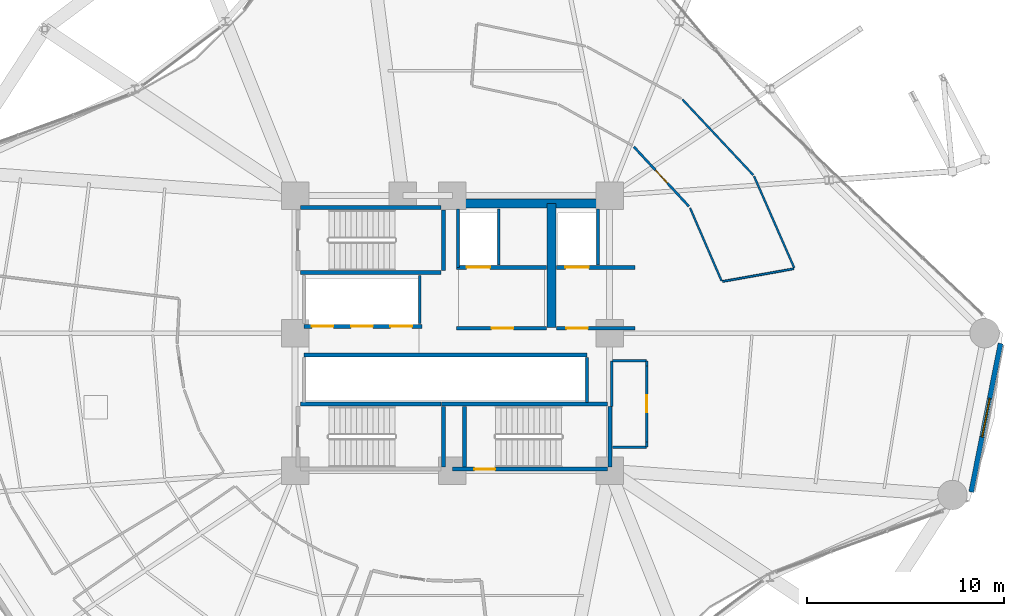
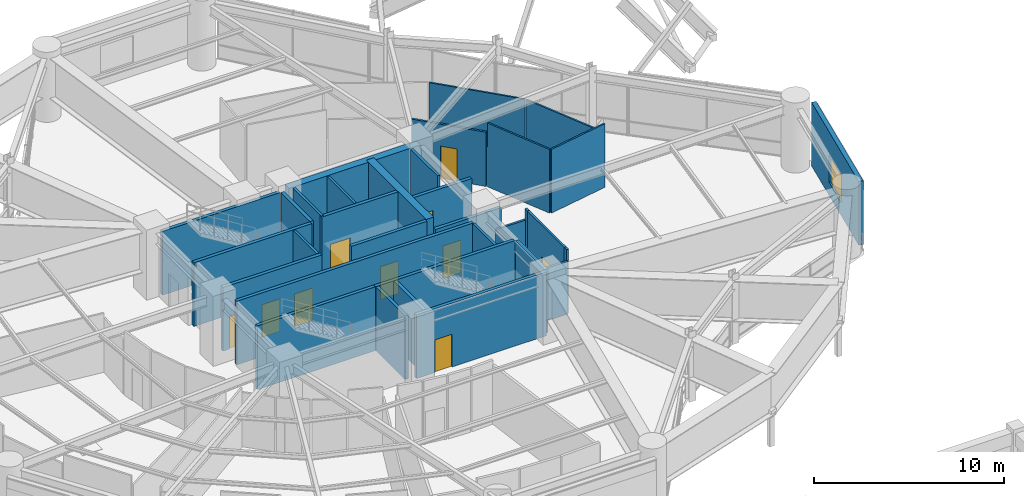
# One storey, part 44 of 53: 34 walls, 10 doors, 1 window, 11 openings.
"""IFC4 building model written with IfcOpenShell, lengths in metres."""

from ifc_helpers import new_model, si_unit, direction, frame, frame_2d, origin, place, context, subcontext, project, spatial, rectangle, extrude, material, layer, layer_set, type_object, element, fill, save


model = new_model("IFC4")

# Units and contexts
model_context = context("Model", 3, precision=1e-05, world=origin(), true_north=direction((0.0, 1.0)))
body_context = subcontext(model_context, "Body", "Model", "MODEL_VIEW")
ifc_project = project(units=[si_unit("LENGTHUNIT", "METRE"), si_unit("AREAUNIT", "SQUARE_METRE"), si_unit("VOLUMEUNIT", "CUBIC_METRE"), si_unit("PLANEANGLEUNIT", "RADIAN"), si_unit("MASSUNIT", "GRAM", prefix="KILO")], contexts=[model_context])

# Site, building, storey
site_placement = place(None, origin())
site = spatial("IfcSite", under=ifc_project, at=site_placement, CompositionType="ELEMENT")
building_placement = place(site_placement, origin())
building = spatial("IfcBuilding", under=site, at=building_placement, Name="Kelanora Arch Commons", CompositionType="ELEMENT")
storey_placement = place(building_placement, frame((0.0, 0.0, 9.0)))
storey = spatial("IfcBuildingStorey", under=building, at=storey_placement, Name="L02", CompositionType="ELEMENT", Elevation=9.0)

# Walls
ifc_material_1 = material(Name="Autoclaved aerated concrete blockwork with fire plaster", Category="masonry")
ifc_layer_1 = layer(ifc_material_1, 0.14990234375)
ifc_layer_set_1 = layer_set([ifc_layer_1], Name="Autoclaved aerated concrete blockwork with fire plaster")
wall_type_1 = type_object("IfcWallType", Name="W-COMP-150", PredefinedType="PARTITIONING", material=ifc_layer_set_1)
wall_1_placement = place(storey_placement, frame((74.280029296875, 61.35009765625, 0.0), z_axis=(0.0, 0.0, 1.0), x_axis=(0.0, 1.0, 0.0)))
element("IfcWall", 1, at=wall_1_placement, inside=storey, type_object=wall_type_1, Name="Firefighting Lift 1 West Shaft Wall L02", PredefinedType="PARTITIONING", context=body_context, shape_type="SweptSolid", body=[
    extrude(rectangle(XDim=2.969970703125, YDim=0.14990234375, at=frame_2d((1.48486328125, 0.0))), origin(), (0.0, 0.0, 1.0), 4.090087890625),
])
for number, where, z_axis, x_axis, name in (
    (2, (76.360107421875, 61.47998046875, 0.0), (0.0, 0.0, 1.0), (0.0, 1.0, 0.0), "Firefighting Lift 1 East Shaft Wall L02"),
    (3, (81.419921875, 61.47998046875, 0.0), (0.0, 0.0, 1.0), (0.0, 1.0, 0.0), "Firefighting Lift 2 East Shaft Wall L02"),
):
    element("IfcWall", number, at=place(storey_placement, frame(where, z_axis=z_axis, x_axis=x_axis)), inside=storey, type_object=wall_type_1, Name=name, PredefinedType="PARTITIONING", context=body_context, shape_type="SweptSolid", body=[
        extrude(rectangle(XDim=2.840087890625, YDim=0.14990234375, at=frame_2d((1.419921875, 0.0))), origin(), (0.0, 0.0, 1.0), 4.090087890625),
    ])
wall_2_placement = place(storey_placement, frame((72.340087890625, 58.47998046875, 0.0), z_axis=(0.0, 0.0, 1.0), x_axis=(0.0, 1.0, 0.0)))
element("IfcWall", 4, at=wall_2_placement, inside=storey, type_object=wall_type_1, Name="Low-Rise Lift Bank East Wall L02", PredefinedType="PARTITIONING", context=body_context, shape_type="SweptSolid", body=[
    extrude(rectangle(XDim=2.4599609375, YDim=0.14990234375, at=frame_2d((1.22998046875, 0.0))), origin(), (0.0, 0.0, 1.0), 4.090087890625),
])
wall_3_placement = place(storey_placement, frame((80.840087890625, 54.47998046875, 0.0), z_axis=(0.0, 0.0, 1.0), x_axis=(0.0, 1.0, 0.0)))
element("IfcWall", 5, at=wall_3_placement, inside=storey, type_object=wall_type_1, Name="South Lift Bank East Wall L02", PredefinedType="PARTITIONING", context=body_context, shape_type="SweptSolid", body=[
    extrude(rectangle(XDim=2.2900390625, YDim=0.14990234375, at=frame_2d((1.14501953125, 0.0))), origin(), (0.0, 0.0, 1.0), 4.090087890625),
])
ifc_material_2 = material(Name="Concrete C60/75", Category="concrete")
ifc_layer_2 = layer(ifc_material_2, 0.449951171875)
ifc_layer_set_2 = layer_set([ifc_layer_2], Name="Concrete C60/75")
wall_type_2 = type_object("IfcWallType", Name="W-CORE-450", PredefinedType="SHEAR", material=ifc_layer_set_2)
wall_4_placement = place(storey_placement, frame((74.0, 64.60009765625, 0.0), z_axis=(0.0, 0.0, 1.0), x_axis=(1.0, 0.0, 0.0)))
element("IfcWall", 6, at=wall_4_placement, inside=storey, type_object=wall_type_2, Name="Core Shear Spine L02-CN-E", PredefinedType="SHEAR", context=body_context, shape_type="SweptSolid", body=[
    extrude(rectangle(XDim=8.0, YDim=0.449951171875, at=frame_2d((4.0, 0.0))), origin(), (0.0, 0.0, 1.0), 4.10009765625),
])
wall_5_placement = place(storey_placement, frame((79.050048828125, 58.300048828125, 0.0), z_axis=(0.0, 0.0, 1.0), x_axis=(0.0, 1.0, 0.0)))
element("IfcWall", 7, at=wall_5_placement, inside=storey, type_object=wall_type_2, Name="Core Shear Spine L02-CE-N", PredefinedType="SHEAR", context=body_context, shape_type="SweptSolid", body=[
    extrude(rectangle(XDim=6.300048828125, YDim=0.449951171875, at=frame_2d((3.14990234375, 0.0))), origin(), (0.0, 0.0, 1.0), 4.10009765625),
])

# Wall, opening, window
ifc_material_3 = material(Name="Precast concrete C40/50 with terracotta rainscreen", Category="masonry")
ifc_layer_3 = layer(ifc_material_3, 0.260009765625)
ifc_layer_set_3 = layer_set([ifc_layer_3], Name="Precast concrete C40/50 with terracotta rainscreen")
wall_type_3 = type_object("IfcWallType", Name="W-EXT-TC", PredefinedType="SOLIDWALL", material=ifc_layer_set_3)
wall_6_placement = place(storey_placement, frame((100.404296875, 49.919921875, 0.0), z_axis=(0.0, 0.0, 1.0), x_axis=(0.193726159581, 0.98105564322, 0.0)))
wall_6 = element("IfcWall", 8, at=wall_6_placement, inside=storey, type_object=wall_type_3, Name="Terracotta Exterior Wall L02-B17", PredefinedType="SOLIDWALL", context=body_context, shape_type="SweptSolid", body=[
    extrude(rectangle(XDim=7.70263671875, YDim=0.260009765625, at=frame_2d((3.851318359375, 0.0))), origin(), (0.0, 0.0, 1.0), 4.0849609375),
])
opening_1_placement = place(wall_6_placement, frame((2.85107421875, 0.0, 0.85009765625)))
opening_1 = element("IfcOpeningElement", 9, at=opening_1_placement, cuts=wall_6, Name="Opening WN-05", PredefinedType="OPENING", context=body_context, shape_type="SweptSolid", body=[
    extrude(rectangle(XDim=2.0, YDim=1.75, at=frame_2d((1.0, 0.875))), frame((0.0, 0.14013671875, 0.0), z_axis=(0.0, -1.0, 0.0), x_axis=(1.0, 0.0, 0.0)), (0.0, 0.0, 1.0), 0.280029296875),
])
ifc_material_4 = material(Name="Terracotta-anodised aluminium podium window", Category="masonry")
window_type = type_object("IfcWindowType", Name="WIN-POD-20", PartitioningType="TRIPLE_PANEL_VERTICAL", PredefinedType="WINDOW", material=ifc_material_4)
window_placement = place(opening_1_placement, origin())
window = element("IfcWindow", 10, at=window_placement, inside=storey, type_object=window_type, Name="Podium Window L02-B17", OverallHeight=1.75, OverallWidth=2.0, PartitioningType="SINGLE_PANEL", PredefinedType="WINDOW", context=body_context, shape_type="SweptSolid", body=[
    extrude(rectangle(XDim=2.0, YDim=1.75, at=frame_2d((1.0, 0.875))), frame((0.0, 0.030029296875, 0.0), z_axis=(0.0, -1.0, 0.0), x_axis=(1.0, 0.0, 0.0)), (0.0, 0.0, 1.0), 0.06005859375),
])
fill(opening_1, window)

# Wall, opening, door
ifc_material_5 = material(Name="Concrete C40/50", Category="concrete")
ifc_layer_4 = layer(ifc_material_5, 0.199951171875)
ifc_layer_set_4 = layer_set([ifc_layer_4], Name="Concrete C40/50")
wall_type_4 = type_object("IfcWallType", Name="W-FFL-200", PredefinedType="SOLIDWALL", material=ifc_layer_set_4)
wall_7_placement = place(storey_placement, frame((74.199951171875, 61.35009765625, 0.0), z_axis=(0.0, 0.0, 1.0), x_axis=(1.0, 0.0, 0.0)))
wall_7 = element("IfcWall", 11, at=wall_7_placement, inside=storey, type_object=wall_type_4, Name="Firefighting Lift 1 Shaft Front L02", PredefinedType="SOLIDWALL", context=body_context, shape_type="SweptSolid", body=[
    extrude(rectangle(XDim=4.60009765625, YDim=0.199951171875, at=frame_2d((2.300048828125, 0.0))), origin(), (0.0, 0.0, 1.0), 4.090087890625),
])
opening_2_placement = place(wall_7_placement, frame((0.52001953125, 0.0, 0.0)))
opening_2 = element("IfcOpeningElement", 12, at=opening_2_placement, cuts=wall_7, Name="Opening LD-FF", PredefinedType="OPENING", context=body_context, shape_type="SweptSolid", body=[
    extrude(rectangle(XDim=1.199951171875, YDim=2.14990234375, at=frame_2d((0.60009765625, 1.074951171875))), frame((0.0, 0.10986328125, 0.0), z_axis=(0.0, -1.0, 0.0), x_axis=(1.0, 0.0, 0.0)), (0.0, 0.0, 1.0), 0.219970703125),
])
ifc_material_6 = material(Name="Fire-rated firefighters lift sliding landing door")
door_type_1 = type_object("IfcDoorType", Name="D-LIFT-FF", OperationType="NOTDEFINED", PredefinedType="DOOR", material=ifc_material_6)
door_1_placement = place(opening_2_placement, origin())
door_1 = element("IfcDoor", 13, at=door_1_placement, inside=storey, type_object=door_type_1, Name="Firefighting Lift LF-FF1 Landing Door L02", OperationType="DOUBLE_DOOR_SLIDING", OverallHeight=2.14990234375, OverallWidth=1.199951171875, PredefinedType="DOOR", context=body_context, shape_type="SweptSolid", body=[
    extrude(rectangle(XDim=1.199951171875, YDim=2.14990234375, at=frame_2d((0.60009765625, 1.074951171875))), frame((0.0, 0.02490234375, 0.0), z_axis=(0.0, -1.0, 0.0), x_axis=(1.0, 0.0, 0.0)), (0.0, 0.0, 1.0), 0.050048828125),
])
fill(opening_2, door_1)

wall_8_placement = place(storey_placement, frame((79.300048828125, 61.35009765625, 0.0), z_axis=(0.0, 0.0, 1.0), x_axis=(1.0, 0.0, 0.0)))
wall_8 = element("IfcWall", 14, at=wall_8_placement, inside=storey, type_object=wall_type_4, Name="Firefighting Lift 2 Shaft Front L02", PredefinedType="SOLIDWALL", context=body_context, shape_type="SweptSolid", body=[
    extrude(rectangle(XDim=4.0, YDim=0.199951171875, at=frame_2d((2.0, 0.0))), origin(), (0.0, 0.0, 1.0), 3.385009765625),
])
opening_3_placement = place(wall_8_placement, frame((0.449951171875, 0.0, 0.0)))
opening_3 = element("IfcOpeningElement", 15, at=opening_3_placement, cuts=wall_8, Name="Opening LD-FF", PredefinedType="OPENING", context=body_context, shape_type="SweptSolid", body=[
    extrude(rectangle(XDim=1.199951171875, YDim=2.14990234375, at=frame_2d((0.60009765625, 1.074951171875))), frame((0.0, 0.10986328125, 0.0), z_axis=(0.0, -1.0, 0.0), x_axis=(1.0, 0.0, 0.0)), (0.0, 0.0, 1.0), 0.219970703125),
])
door_2_placement = place(opening_3_placement, origin())
door_2 = element("IfcDoor", 16, at=door_2_placement, inside=storey, type_object=door_type_1, Name="Firefighting Lift LF-FF2 Landing Door L02", OperationType="DOUBLE_DOOR_SLIDING", OverallHeight=2.14990234375, OverallWidth=1.199951171875, PredefinedType="DOOR", context=body_context, shape_type="SweptSolid", body=[
    extrude(rectangle(XDim=1.199951171875, YDim=2.14990234375, at=frame_2d((0.60009765625, 1.074951171875))), frame((0.0, 0.02490234375, 0.0), z_axis=(0.0, -1.0, 0.0), x_axis=(1.0, 0.0, 0.0)), (0.0, 0.0, 1.0), 0.050048828125),
])
fill(opening_3, door_2)

wall_9_placement = place(storey_placement, frame((74.199951171875, 58.25, 0.0), z_axis=(0.0, 0.0, 1.0), x_axis=(1.0, 0.0, 0.0)))
wall_9 = element("IfcWall", 17, at=wall_9_placement, inside=storey, type_object=wall_type_4, Name="Firefighting Lobby 1 Enclosure Wall L02", PredefinedType="SOLIDWALL", context=body_context, shape_type="SweptSolid", body=[
    extrude(rectangle(XDim=4.60009765625, YDim=0.199951171875, at=frame_2d((2.300048828125, 0.0))), origin(), (0.0, 0.0, 1.0), 4.090087890625),
])
opening_4_placement = place(wall_9_placement, frame((1.800048828125, 0.0, 0.0)))
opening_4 = element("IfcOpeningElement", 18, at=opening_4_placement, cuts=wall_9, Name="Opening D-FFL1", PredefinedType="OPENING", context=body_context, shape_type="SweptSolid", body=[
    extrude(rectangle(XDim=1.10009765625, YDim=2.10009765625, at=frame_2d((0.550048828125, 1.050048828125))), frame((0.0, 0.10986328125, 0.0), z_axis=(0.0, -1.0, 0.0), x_axis=(1.0, 0.0, 0.0)), (0.0, 0.0, 1.0), 0.219970703125),
])
ifc_material_7 = material(Name="Smoke-sealed firefighting lobby fire door")
door_type_2 = type_object("IfcDoorType", Name="D-FFL-110", OperationType="NOTDEFINED", PredefinedType="DOOR", material=ifc_material_7)
door_3_placement = place(opening_4_placement, frame((1.10009765625, 0.0, 0.0), z_axis=(0.0, 0.0, 1.0), x_axis=(-1.0, 0.0, 0.0)))
door_3 = element("IfcDoor", 19, at=door_3_placement, inside=storey, type_object=door_type_2, Name="Firefighting Lobby 1 Door L02", OperationType="SINGLE_SWING_LEFT", OverallHeight=2.10009765625, OverallWidth=1.10009765625, PredefinedType="DOOR", context=body_context, shape_type="SweptSolid", body=[
    extrude(rectangle(XDim=1.10009765625, YDim=2.10009765625, at=frame_2d((0.550048828125, 1.050048828125))), frame((0.0, 0.02490234375, 0.0), z_axis=(0.0, -1.0, 0.0), x_axis=(1.0, 0.0, 0.0)), (0.0, 0.0, 1.0), 0.050048828125),
])
fill(opening_4, door_3)

wall_10_placement = place(storey_placement, frame((79.300048828125, 58.25, 0.0), z_axis=(0.0, 0.0, 1.0), x_axis=(1.0, 0.0, 0.0)))
wall_10 = element("IfcWall", 20, at=wall_10_placement, inside=storey, type_object=wall_type_4, Name="Firefighting Lobby 2 Enclosure Wall L02", PredefinedType="SOLIDWALL", context=body_context, shape_type="SweptSolid", body=[
    extrude(rectangle(XDim=4.0, YDim=0.199951171875, at=frame_2d((2.0, 0.0))), origin(), (0.0, 0.0, 1.0), 3.385009765625),
])
opening_5_placement = place(wall_10_placement, frame((0.5, 0.0, 0.0)))
opening_5 = element("IfcOpeningElement", 21, at=opening_5_placement, cuts=wall_10, Name="Opening D-FFL1", PredefinedType="OPENING", context=body_context, shape_type="SweptSolid", body=[
    extrude(rectangle(XDim=1.10009765625, YDim=2.10009765625, at=frame_2d((0.550048828125, 1.050048828125))), frame((0.0, 0.10986328125, 0.0), z_axis=(0.0, -1.0, 0.0), x_axis=(1.0, 0.0, 0.0)), (0.0, 0.0, 1.0), 0.219970703125),
])
door_4_placement = place(opening_5_placement, frame((1.10009765625, 0.0, 0.0), z_axis=(0.0, 0.0, 1.0), x_axis=(-1.0, 0.0, 0.0)))
door_4 = element("IfcDoor", 22, at=door_4_placement, inside=storey, type_object=door_type_2, Name="Firefighting Lobby 2 Door L02", OperationType="SINGLE_SWING_RIGHT", OverallHeight=2.10009765625, OverallWidth=1.10009765625, PredefinedType="DOOR", context=body_context, shape_type="SweptSolid", body=[
    extrude(rectangle(XDim=1.10009765625, YDim=2.10009765625, at=frame_2d((0.550048828125, 1.050048828125))), frame((0.0, 0.02490234375, 0.0), z_axis=(0.0, -1.0, 0.0), x_axis=(1.0, 0.0, 0.0)), (0.0, 0.0, 1.0), 0.050048828125),
])
fill(opening_5, door_4)

# Wall, openings, doors
wall_11_placement = place(storey_placement, frame((66.449951171875, 58.35009765625, 0.0), z_axis=(0.0, 0.0, 1.0), x_axis=(1.0, 0.0, 0.0)))
wall_11 = element("IfcWall", 23, at=wall_11_placement, inside=storey, type_object=wall_type_4, Name="Low-Rise Passenger Lift Shaft Front L02", PredefinedType="SOLIDWALL", context=body_context, shape_type="SweptSolid", body=[
    extrude(rectangle(XDim=6.0, YDim=0.199951171875, at=frame_2d((3.0, 0.0))), origin(), (0.0, 0.0, 1.0), 4.090087890625),
])
opening_6_placement = place(wall_11_placement, frame((0.39990234375, 0.0, 0.0)))
opening_6 = element("IfcOpeningElement", 24, at=opening_6_placement, cuts=wall_11, Name="Opening LD-01", PredefinedType="OPENING", context=body_context, shape_type="SweptSolid", body=[
    extrude(rectangle(XDim=1.10009765625, YDim=2.10009765625, at=frame_2d((0.550048828125, 1.050048828125))), frame((0.0, 0.10986328125, 0.0), z_axis=(0.0, -1.0, 0.0), x_axis=(1.0, 0.0, 0.0)), (0.0, 0.0, 1.0), 0.219970703125),
])
opening_7_placement = place(wall_11_placement, frame((2.39990234375, 0.0, 0.0)))
opening_7 = element("IfcOpeningElement", 25, at=opening_7_placement, cuts=wall_11, Name="Opening LD-01", PredefinedType="OPENING", context=body_context, shape_type="SweptSolid", body=[
    extrude(rectangle(XDim=1.10009765625, YDim=2.10009765625, at=frame_2d((0.550048828125, 1.050048828125))), frame((0.0, 0.10986328125, 0.0), z_axis=(0.0, -1.0, 0.0), x_axis=(1.0, 0.0, 0.0)), (0.0, 0.0, 1.0), 0.219970703125),
])
opening_8_placement = place(wall_11_placement, frame((4.39990234375, 0.0, 0.0)))
opening_8 = element("IfcOpeningElement", 26, at=opening_8_placement, cuts=wall_11, Name="Opening LD-01", PredefinedType="OPENING", context=body_context, shape_type="SweptSolid", body=[
    extrude(rectangle(XDim=1.10009765625, YDim=2.10009765625, at=frame_2d((0.550048828125, 1.050048828125))), frame((0.0, 0.10986328125, 0.0), z_axis=(0.0, -1.0, 0.0), x_axis=(1.0, 0.0, 0.0)), (0.0, 0.0, 1.0), 0.219970703125),
])
ifc_material_8 = material(Name="Stainless steel passenger lift sliding landing door", Category="steel")
door_type_3 = type_object("IfcDoorType", Name="D-LIFT-110", OperationType="NOTDEFINED", PredefinedType="DOOR", material=ifc_material_8)
door_5_placement = place(opening_6_placement, origin())
door_5 = element("IfcDoor", 27, at=door_5_placement, inside=storey, type_object=door_type_3, Name="Passenger Lift LF-P1 Landing Door L02", OperationType="DOUBLE_DOOR_SLIDING", OverallHeight=2.10009765625, OverallWidth=1.10009765625, PredefinedType="DOOR", context=body_context, shape_type="SweptSolid", body=[
    extrude(rectangle(XDim=1.10009765625, YDim=2.10009765625, at=frame_2d((0.550048828125, 1.050048828125))), frame((0.0, 0.02490234375, 0.0), z_axis=(0.0, -1.0, 0.0), x_axis=(1.0, 0.0, 0.0)), (0.0, 0.0, 1.0), 0.050048828125),
])
fill(opening_6, door_5)
door_6_placement = place(opening_7_placement, origin())
door_6 = element("IfcDoor", 28, at=door_6_placement, inside=storey, type_object=door_type_3, Name="Passenger Lift LF-P2 Landing Door L02", OperationType="DOUBLE_DOOR_SLIDING", OverallHeight=2.10009765625, OverallWidth=1.10009765625, PredefinedType="DOOR", context=body_context, shape_type="SweptSolid", body=[
    extrude(rectangle(XDim=1.10009765625, YDim=2.10009765625, at=frame_2d((0.550048828125, 1.050048828125))), frame((0.0, 0.02490234375, 0.0), z_axis=(0.0, -1.0, 0.0), x_axis=(1.0, 0.0, 0.0)), (0.0, 0.0, 1.0), 0.050048828125),
])
fill(opening_7, door_6)
door_7_placement = place(opening_8_placement, origin())
door_7 = element("IfcDoor", 29, at=door_7_placement, inside=storey, type_object=door_type_3, Name="Passenger Lift LF-P3 Landing Door L02", OperationType="DOUBLE_DOOR_SLIDING", OverallHeight=2.10009765625, OverallWidth=1.10009765625, PredefinedType="DOOR", context=body_context, shape_type="SweptSolid", body=[
    extrude(rectangle(XDim=1.10009765625, YDim=2.10009765625, at=frame_2d((0.550048828125, 1.050048828125))), frame((0.0, 0.02490234375, 0.0), z_axis=(0.0, -1.0, 0.0), x_axis=(1.0, 0.0, 0.0)), (0.0, 0.0, 1.0), 0.050048828125),
])
fill(opening_8, door_7)

# Walls
wall_12_placement = place(storey_placement, frame((66.449951171875, 56.89990234375, 0.0), z_axis=(0.0, 0.0, 1.0), x_axis=(1.0, 0.0, 0.0)))
element("IfcWall", 30, at=wall_12_placement, inside=storey, type_object=wall_type_4, Name="Mid/High/Express Lift Shaft Front L02", PredefinedType="SOLIDWALL", context=body_context, shape_type="SweptSolid", body=[
    extrude(rectangle(XDim=14.400146484375, YDim=0.199951171875, at=frame_2d((7.2001953125, 0.0))), origin(), (0.0, 0.0, 1.0), 4.090087890625),
])
ifc_material_9 = material(Name="Lightweight fire-rated acoustic stud partition")
ifc_layer_5 = layer(ifc_material_9, 0.10009765625)
ifc_layer_set_5 = layer_set([ifc_layer_5], Name="Lightweight fire-rated acoustic stud partition")
wall_type_5 = type_object("IfcWallType", Name="W-PART-100", PredefinedType="PARTITIONING", material=ifc_layer_set_5)
wall_13_placement = place(storey_placement, frame((87.697998046875, 60.66064453125, 0.0), z_axis=(0.0, 0.0, 1.0), x_axis=(-0.396638629538, 0.917974834927, 0.0)))
element("IfcWall", 31, at=wall_13_placement, inside=storey, type_object=wall_type_5, Name="Arch Portal Overlook Co-Working Commons L02-A Enclosure Partition 1", PredefinedType="PARTITIONING", context=body_context, shape_type="SweptSolid", body=[
    extrude(rectangle(XDim=4.0390625, YDim=0.10009765625, at=frame_2d((2.01953125, 0.0))), origin(), (0.0, 0.0, 1.0), 4.090087890625),
])
wall_14_placement = place(storey_placement, frame((85.705322265625, 69.894775390625, 0.0), z_axis=(0.0, 0.0, 1.0), x_axis=(0.683762404443, -0.729704717177, 0.0)))
element("IfcWall", 32, at=wall_14_placement, inside=storey, type_object=wall_type_5, Name="Arch Portal Overlook Co-Working Commons L02-A Enclosure Partition 8", PredefinedType="PARTITIONING", context=body_context, shape_type="SweptSolid", body=[
    extrude(rectangle(XDim=5.271484375, YDim=0.10009765625, at=frame_2d((2.6357421875, 0.0))), origin(), (0.0, 0.0, 1.0), 3.485107421875),
])
wall_15_placement = place(storey_placement, frame((89.35302734375, 65.982421875, 0.0), z_axis=(0.0, 0.0, 1.0), x_axis=(0.40128943914, -0.915951301126, 0.0)))
element("IfcWall", 33, at=wall_15_placement, inside=storey, type_object=wall_type_5, Name="Arch Portal Overlook Co-Working Commons L02-A Enclosure Partition 9", PredefinedType="PARTITIONING", context=body_context, shape_type="SweptSolid", body=[
    extrude(rectangle(XDim=5.088623046875, YDim=0.10009765625, at=frame_2d((2.54443359375, 0.0))), origin(), (0.0, 0.0, 1.0), 3.485107421875),
])
wall_16_placement = place(storey_placement, frame((91.37158203125, 61.278076171875, 0.0), z_axis=(0.0, 0.0, 1.0), x_axis=(-0.98438649623, -0.176020527328, 0.0)))
element("IfcWall", 34, at=wall_16_placement, inside=storey, type_object=wall_type_5, Name="Arch Portal Overlook Co-Working Commons L02-A Enclosure Partition 10", PredefinedType="PARTITIONING", context=body_context, shape_type="SweptSolid", body=[
    extrude(rectangle(XDim=3.675537109375, YDim=0.10009765625, at=frame_2d((1.837890625, 0.0))), origin(), (0.0, 0.0, 1.0), 4.090087890625),
])

# Wall, opening, door
ifc_material_10 = material(Name="Acoustic twin-stud fire-rated gypsum partition")
ifc_layer_6 = layer(ifc_material_10, 0.1201171875)
ifc_layer_set_6 = layer_set([ifc_layer_6], Name="Acoustic twin-stud fire-rated gypsum partition")
wall_type_6 = type_object("IfcWallType", Name="W-PART-120", PredefinedType="PARTITIONING", material=ifc_layer_set_6)
wall_17_placement = place(storey_placement, frame((86.039306640625, 64.44921875, 0.0), z_axis=(0.0, 0.0, 1.0), x_axis=(-0.678660886428, 0.734451769167, 0.0)))
wall_17 = element("IfcWall", 35, at=wall_17_placement, inside=storey, type_object=wall_type_6, Name="Arch Portal Overlook Co-Working Commons L02-A Entry Partition", PredefinedType="PARTITIONING", context=body_context, shape_type="SweptSolid", body=[
    extrude(rectangle(XDim=4.12646484375, YDim=0.1201171875, at=frame_2d((2.063232421875, 0.0))), origin(), (0.0, 0.0, 1.0), 3.485107421875),
])
opening_9_placement = place(wall_17_placement, frame((1.613037109375, 0.0, 0.0)))
opening_9 = element("IfcOpeningElement", 36, at=opening_9_placement, cuts=wall_17, Name="Opening D-RM1", PredefinedType="OPENING", context=body_context, shape_type="SweptSolid", body=[
    extrude(rectangle(XDim=0.89990234375, YDim=2.080078125, at=frame_2d((0.449951171875, 1.0400390625))), frame((0.0, 0.070068359375, 0.0), z_axis=(0.0, -1.0, 0.0), x_axis=(1.0, 0.0, 0.0)), (0.0, 0.0, 1.0), 0.14013671875),
])
ifc_material_11 = material(Name="Acoustic fire-rated timber study and lounge door", Category="wood")
door_type_4 = type_object("IfcDoorType", Name="D-ROOM-90", OperationType="NOTDEFINED", PredefinedType="DOOR", material=ifc_material_11)
door_8_placement = place(opening_9_placement, origin())
door_8 = element("IfcDoor", 37, at=door_8_placement, inside=storey, type_object=door_type_4, Name="Arch Portal Overlook Co-Working Commons L02-A Door", OperationType="SINGLE_SWING_RIGHT", OverallHeight=2.080078125, OverallWidth=0.89990234375, PredefinedType="DOOR", context=body_context, shape_type="SweptSolid", body=[
    extrude(rectangle(XDim=0.89990234375, YDim=2.080078125, at=frame_2d((0.449951171875, 1.0400390625))), frame((0.0, 0.02490234375, 0.0), z_axis=(0.0, -1.0, 0.0), x_axis=(1.0, 0.0, 0.0)), (0.0, 0.0, 1.0), 0.050048828125),
])
fill(opening_9, door_8)

# Walls
ifc_layer_7 = layer(ifc_material_5, 0.199951171875)
ifc_layer_set_7 = layer_set([ifc_layer_7], Name="Concrete C40/50")
wall_type_7 = type_object("IfcWallType", Name="W-STAIR-200", PredefinedType="SHEAR", material=ifc_layer_set_7)
wall_18_placement = place(storey_placement, frame((66.260009765625, 61.080078125, 0.0), z_axis=(0.0, 0.0, 1.0), x_axis=(1.0, 0.0, 0.0)))
element("IfcWall", 38, at=wall_18_placement, inside=storey, type_object=wall_type_7, Name="Stair ST-T1 Shaft Wall S L02", PredefinedType="SHEAR", context=body_context, shape_type="SweptSolid", body=[
    extrude(rectangle(XDim=7.159912109375, YDim=0.199951171875, at=frame_2d((3.580078125, 0.0))), origin(), (0.0, 0.0, 1.0), 4.10009765625),
])
wall_19_placement = place(storey_placement, frame((73.5400390625, 61.199951171875, 0.0), z_axis=(0.0, 0.0, 1.0), x_axis=(0.0, 1.0, 0.0)))
element("IfcWall", 39, at=wall_19_placement, inside=storey, type_object=wall_type_7, Name="Stair ST-T1 Shaft Wall E L02", PredefinedType="SHEAR", context=body_context, shape_type="SweptSolid", body=[
    extrude(rectangle(XDim=3.070068359375, YDim=0.199951171875, at=frame_2d((1.53515625, 0.0))), origin(), (0.0, 0.0, 1.0), 4.10009765625),
])
wall_20_placement = place(storey_placement, frame((73.419921875, 64.389892578125, 0.0), z_axis=(0.0, 0.0, 1.0), x_axis=(-1.0, 0.0, 0.0)))
element("IfcWall", 40, at=wall_20_placement, inside=storey, type_object=wall_type_7, Name="Stair ST-T1 Shaft Wall N L02", PredefinedType="SHEAR", context=body_context, shape_type="SweptSolid", body=[
    extrude(rectangle(XDim=7.159912109375, YDim=0.199951171875, at=frame_2d((3.580078125, 0.0))), origin(), (0.0, 0.0, 1.0), 4.10009765625),
])

# Wall, opening, door
wall_21_placement = place(storey_placement, frame((74.0, 51.080078125, 0.0), z_axis=(0.0, 0.0, 1.0), x_axis=(1.0, 0.0, 0.0)))
wall_21 = element("IfcWall", 41, at=wall_21_placement, inside=storey, type_object=wall_type_7, Name="Stair ST-T2 Shaft Wall S L02", PredefinedType="SHEAR", context=body_context, shape_type="SweptSolid", body=[
    extrude(rectangle(XDim=7.89990234375, YDim=0.199951171875, at=frame_2d((3.949951171875, 0.0))), origin(), (0.0, 0.0, 1.0), 4.10009765625),
])
opening_10_placement = place(wall_21_placement, frame((1.1201171875, 0.0, 0.0)))
opening_10 = element("IfcOpeningElement", 42, at=opening_10_placement, cuts=wall_21, Name="Opening D-ST1", PredefinedType="OPENING", context=body_context, shape_type="SweptSolid", body=[
    extrude(rectangle(XDim=1.050048828125, YDim=2.10009765625, at=frame_2d((0.52490234375, 1.050048828125))), frame((0.0, 0.10986328125, 0.0), z_axis=(0.0, -1.0, 0.0), x_axis=(1.0, 0.0, 0.0)), (0.0, 0.0, 1.0), 0.219970703125),
])
ifc_material_12 = material(Name="Steel fire-rated stairwell escape door", Category="steel")
door_type_5 = type_object("IfcDoorType", Name="D-STAIR-110", OperationType="NOTDEFINED", PredefinedType="DOOR", material=ifc_material_12)
door_9_placement = place(opening_10_placement, origin())
door_9 = element("IfcDoor", 43, at=door_9_placement, inside=storey, type_object=door_type_5, Name="Stair ST-T2 Escape Door L02", OperationType="SINGLE_SWING_LEFT", OverallHeight=2.10009765625, OverallWidth=1.050048828125, PredefinedType="DOOR", context=body_context, shape_type="SweptSolid", body=[
    extrude(rectangle(XDim=1.050048828125, YDim=2.10009765625, at=frame_2d((0.52490234375, 1.050048828125))), frame((0.0, 0.02490234375, 0.0), z_axis=(0.0, -1.0, 0.0), x_axis=(1.0, 0.0, 0.0)), (0.0, 0.0, 1.0), 0.050048828125),
])
fill(opening_10, door_9)

# Walls
wall_22_placement = place(storey_placement, frame((82.02001953125, 51.199951171875, 0.0), z_axis=(0.0, 0.0, 1.0), x_axis=(0.0, 1.0, 0.0)))
element("IfcWall", 44, at=wall_22_placement, inside=storey, type_object=wall_type_7, Name="Stair ST-T2 Shaft Wall E L02", PredefinedType="SHEAR", context=body_context, shape_type="SweptSolid", body=[
    extrude(rectangle(XDim=3.070068359375, YDim=0.199951171875, at=frame_2d((1.53515625, 0.0))), origin(), (0.0, 0.0, 1.0), 4.10009765625),
])
wall_23_placement = place(storey_placement, frame((81.89990234375, 54.389892578125, 0.0), z_axis=(0.0, 0.0, 1.0), x_axis=(-1.0, 0.0, 0.0)))
element("IfcWall", 45, at=wall_23_placement, inside=storey, type_object=wall_type_7, Name="Stair ST-T2 Shaft Wall N L02", PredefinedType="SHEAR", context=body_context, shape_type="SweptSolid", body=[
    extrude(rectangle(XDim=8.4599609375, YDim=0.199951171875, at=frame_2d((4.22998046875, 0.0))), origin(), (0.0, 0.0, 1.0), 4.10009765625),
])
for number, where, z_axis, x_axis, name in (
    (46, (74.6201171875, 54.27001953125, 0.0), (0.0, 0.0, 1.0), (0.0, -1.0, 0.0), "Stair ST-T2 Shaft Wall W L02"),
    (47, (73.5400390625, 51.199951171875, 0.0), (0.0, 0.0, 1.0), (0.0, 1.0, 0.0), "Stair ST-T3 Shaft Wall E L02"),
):
    element("IfcWall", number, at=place(storey_placement, frame(where, z_axis=z_axis, x_axis=x_axis)), inside=storey, type_object=wall_type_7, Name=name, PredefinedType="SHEAR", context=body_context, shape_type="SweptSolid", body=[
        extrude(rectangle(XDim=3.070068359375, YDim=0.199951171875, at=frame_2d((1.53515625, 0.0))), origin(), (0.0, 0.0, 1.0), 4.10009765625),
    ])
wall_24_placement = place(storey_placement, frame((73.419921875, 54.389892578125, 0.0), z_axis=(0.0, 0.0, 1.0), x_axis=(-1.0, 0.0, 0.0)))
element("IfcWall", 48, at=wall_24_placement, inside=storey, type_object=wall_type_7, Name="Stair ST-T3 Shaft Wall N L02", PredefinedType="SHEAR", context=body_context, shape_type="SweptSolid", body=[
    extrude(rectangle(XDim=7.159912109375, YDim=0.199951171875, at=frame_2d((3.580078125, 0.0))), origin(), (0.0, 0.0, 1.0), 4.10009765625),
])

# Wall, opening, door
ifc_material_13 = material(Name="Moisture-resistant fire-rated cement-board plumbing wall")
ifc_layer_8 = layer(ifc_material_13, 0.1298828125)
ifc_layer_set_8 = layer_set([ifc_layer_8], Name="Moisture-resistant fire-rated cement-board plumbing wall")
wall_type_8 = type_object("IfcWallType", Name="W-WET-120", PredefinedType="PLUMBINGWALL", material=ifc_layer_set_8)
wall_25_placement = place(storey_placement, frame((83.89990234375, 52.4599609375, 0.0), z_axis=(0.0, 0.0, 1.0), x_axis=(0.0, 1.0, 0.0)))
wall_25 = element("IfcWall", 49, at=wall_25_placement, inside=storey, type_object=wall_type_8, Name="Podium Accessible Toilets L02 Entry Partition", PredefinedType="PLUMBINGWALL", context=body_context, shape_type="SweptSolid", body=[
    extrude(rectangle(XDim=3.880126953125, YDim=0.1298828125, at=frame_2d((1.93994140625, 0.0))), origin(), (0.0, 0.0, 1.0), 4.090087890625),
])
opening_11_placement = place(wall_25_placement, frame((1.510009765625, 0.0, 0.0)))
opening_11 = element("IfcOpeningElement", 50, at=opening_11_placement, cuts=wall_25, Name="Opening D-BT1", PredefinedType="OPENING", context=body_context, shape_type="SweptSolid", body=[
    extrude(rectangle(XDim=0.860107421875, YDim=2.050048828125, at=frame_2d((0.43017578125, 1.02490234375))), frame((0.0, 0.074951171875, 0.0), z_axis=(0.0, -1.0, 0.0), x_axis=(1.0, 0.0, 0.0)), (0.0, 0.0, 1.0), 0.14990234375),
])
ifc_material_14 = material(Name="Moisture-sealed fire-rated accessible bathroom door")
door_type_6 = type_object("IfcDoorType", Name="D-BATH-85", OperationType="NOTDEFINED", PredefinedType="DOOR", material=ifc_material_14)
door_10_placement = place(opening_11_placement, origin())
door_10 = element("IfcDoor", 51, at=door_10_placement, inside=storey, type_object=door_type_6, Name="Podium Accessible Toilets L02 Door", OperationType="SINGLE_SWING_LEFT", OverallHeight=2.050048828125, OverallWidth=0.860107421875, PredefinedType="DOOR", context=body_context, shape_type="SweptSolid", body=[
    extrude(rectangle(XDim=0.860107421875, YDim=2.050048828125, at=frame_2d((0.43017578125, 1.02490234375))), frame((0.0, 0.02490234375, 0.0), z_axis=(0.0, -1.0, 0.0), x_axis=(1.0, 0.0, 0.0)), (0.0, 0.0, 1.0), 0.050048828125),
])
fill(opening_11, door_10)

# Walls
wall_26_placement = place(storey_placement, frame((82.139892578125, 52.199951171875, 0.0), z_axis=(0.0, 0.0, 1.0), x_axis=(1.0, 0.0, 0.0)))
element("IfcWall", 52, at=wall_26_placement, inside=storey, type_object=wall_type_8, Name="Podium Accessible Toilets L02 Enclosure Partition 1", PredefinedType="PLUMBINGWALL", context=body_context, shape_type="SweptSolid", body=[
    extrude(rectangle(XDim=1.739990234375, YDim=0.1298828125, at=frame_2d((0.8701171875, 0.0))), origin(), (0.0, 0.0, 1.0), 3.385009765625),
])
for number, where, z_axis, x_axis, name in (
    (53, (83.89990234375, 52.219970703125, 0.0), (0.0, 0.0, 1.0), (0.0, 1.0, 0.0), "Podium Accessible Toilets L02 Enclosure Partition 2"),
    (54, (83.89990234375, 56.340087890625, 0.0), (0.0, 0.0, 1.0), (0.0, 1.0, 0.0), "Podium Accessible Toilets L02 Enclosure Partition 2"),
):
    element("IfcWall", number, at=place(storey_placement, frame(where, z_axis=z_axis, x_axis=x_axis)), inside=storey, type_object=wall_type_8, Name=name, PredefinedType="PLUMBINGWALL", context=body_context, shape_type="SweptSolid", body=[
        extrude(rectangle(XDim=0.239990234375, YDim=0.1298828125, at=frame_2d((0.1201171875, 0.0))), origin(), (0.0, 0.0, 1.0), 4.090087890625),
    ])
wall_27_placement = place(storey_placement, frame((83.8798828125, 56.60009765625, 0.0), z_axis=(0.0, 0.0, 1.0), x_axis=(-1.0, 0.0, 0.0)))
element("IfcWall", 55, at=wall_27_placement, inside=storey, type_object=wall_type_8, Name="Podium Accessible Toilets L02 Enclosure Partition 3", PredefinedType="PLUMBINGWALL", context=body_context, shape_type="SweptSolid", body=[
    extrude(rectangle(XDim=1.739990234375, YDim=0.1298828125, at=frame_2d((0.8701171875, 0.0))), origin(), (0.0, 0.0, 1.0), 3.385009765625),
])
wall_28_placement = place(storey_placement, frame((82.1201171875, 56.580078125, 0.0), z_axis=(0.0, 0.0, 1.0), x_axis=(0.0, -1.0, 0.0)))
element("IfcWall", 56, at=wall_28_placement, inside=storey, type_object=wall_type_8, Name="Podium Accessible Toilets L02 Enclosure Partition 4", PredefinedType="PLUMBINGWALL", context=body_context, shape_type="SweptSolid", body=[
    extrude(rectangle(XDim=2.31005859375, YDim=0.1298828125, at=frame_2d((1.155029296875, 0.0))), origin(), (0.0, 0.0, 1.0), 3.385009765625),
])

save(model, "model.ifc")
